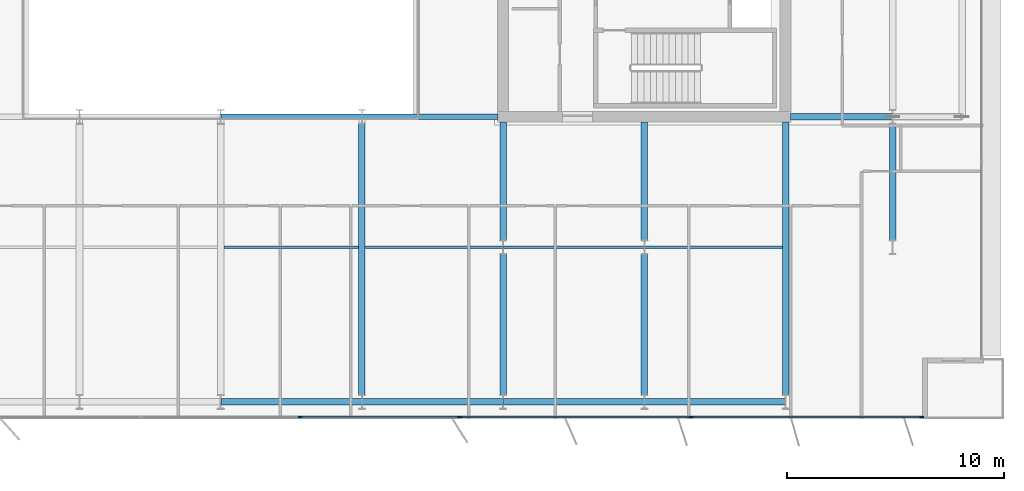
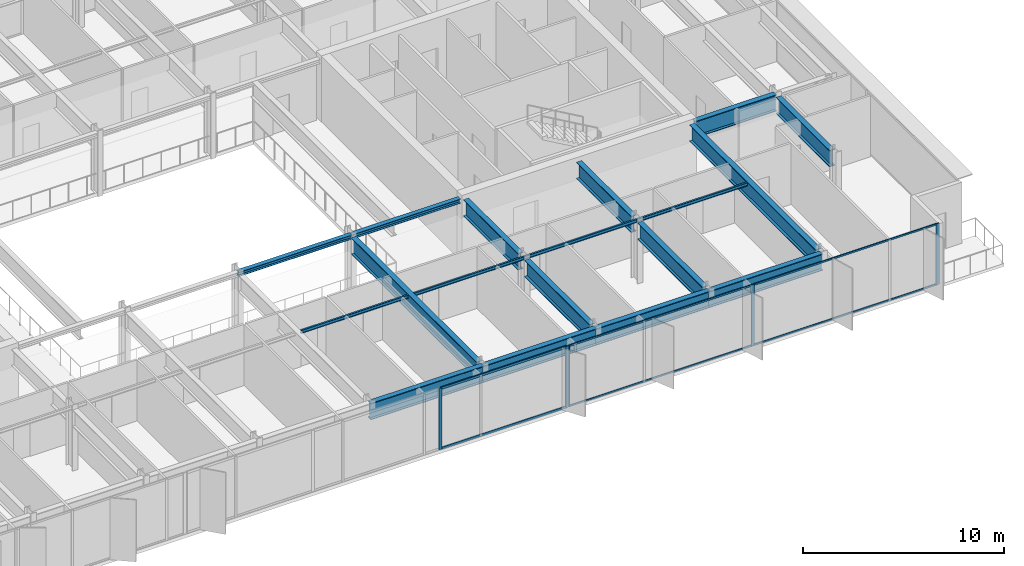
# One storey, part 6 of 20: 18 beams, 11 members, 2 elements without a shape of their own.
"""IFC4 building model written with IfcOpenShell, lengths in metres."""

from ifc_helpers import new_model, si_unit, direction, frame, origin, origin_2d, place, context, subcontext, project, spatial, rectangle, i_section, extrude, material, layer, layer_set, material_profile, profile_set, type_object, element, aggregate, save


model = new_model("IFC4")

# Units and contexts
model_context = context("Model", 3, precision=1e-05, world=origin(), true_north=direction((0.0, 1.0)))
body_context = subcontext(model_context, "Body", "Model", "MODEL_VIEW")
ifc_project = project(units=[si_unit("LENGTHUNIT", "METRE"), si_unit("AREAUNIT", "SQUARE_METRE"), si_unit("VOLUMEUNIT", "CUBIC_METRE"), si_unit("PLANEANGLEUNIT", "RADIAN"), si_unit("MASSUNIT", "GRAM", prefix="KILO")], contexts=[model_context])

# Site, building, storey
site_placement = place(None, origin())
site = spatial("IfcSite", under=ifc_project, at=site_placement, CompositionType="ELEMENT")
building_placement = place(site_placement, origin())
building = spatial("IfcBuilding", under=site, at=building_placement, Name="Putna Gate Headquarters", CompositionType="ELEMENT")
storey_placement = place(building_placement, frame((0.0, 0.0, 306.39990234375)))
storey = spatial("IfcBuildingStorey", under=building, at=storey_placement, Name="L77", CompositionType="ELEMENT", Elevation=306.39990234375)

# Beams
ifc_material_1 = material(Name="Steel S355J2", Category="steel")
ifc_material_profile_1 = material_profile(ifc_material_1, i_section(OverallWidth=0.260009765625, OverallDepth=0.260009765625, WebThickness=0.010009765625, FlangeThickness=0.017578125, at=origin_2d()), Name="Steel S355J2")
ifc_profile_set_1 = profile_set([ifc_material_profile_1], Name="Steel S355J2")
beam_type_1 = type_object("IfcBeamType", Name="BM-ATRIUM-HEB260", PredefinedType="BEAM", material=ifc_profile_set_1)
beam_1_placement = place(storey_placement, frame((39.006103515625, 19.0, 3.590087890625), z_axis=(1.0, 0.0, 0.0), x_axis=(0.0, 1.0, 0.0)))
element("IfcBeam", 1, at=beam_1_placement, inside=storey, type_object=beam_type_1, Name="L77 Atrium Edge Beam AS3", PredefinedType="BEAM", context=body_context, shape_type="SweptSolid", body=[
    extrude(i_section(OverallWidth=0.260009765625, OverallDepth=0.260009765625, WebThickness=0.010009765625, FlangeThickness=0.017578125, at=origin_2d()), origin(), (0.0, 0.0, 1.0), 6.48779296875),
])
beam_2_placement = place(storey_placement, frame((45.506103515625, 19.0, 3.590087890625), z_axis=(1.0, 0.0, 0.0), x_axis=(0.0, 1.0, 0.0)))
element("IfcBeam", 2, at=beam_2_placement, inside=storey, type_object=beam_type_1, Name="L77 Atrium Edge Beam AS4", PredefinedType="BEAM", context=body_context, shape_type="SweptSolid", body=[
    extrude(i_section(OverallWidth=0.260009765625, OverallDepth=0.260009765625, WebThickness=0.010009765625, FlangeThickness=0.017578125, at=origin_2d()), origin(), (0.0, 0.0, 1.0), 6.2587890625),
])
ifc_material_profile_2 = material_profile(ifc_material_1, i_section(OverallWidth=0.10009765625, OverallDepth=0.199951171875, WebThickness=0.005615234375, FlangeThickness=0.008544921875, at=origin_2d()), Name="Steel S355J2")
ifc_profile_set_2 = profile_set([ifc_material_profile_2], Name="Steel S355J2")
beam_type_2 = type_object("IfcBeamType", Name="BM-SEC-PLT-IPE200", PredefinedType="JOIST", material=ifc_profile_set_2)
beam_3_placement = place(storey_placement, frame((39.155029296875, 13.0, 3.6201171875), z_axis=(1.0, 0.0, 0.0), x_axis=(0.0, 1.0, 0.0)))
element("IfcBeam", 3, at=beam_3_placement, inside=storey, type_object=beam_type_2, Name="L77 South Secondary Beam 5", PredefinedType="JOIST", context=body_context, shape_type="SweptSolid", body=[
    extrude(i_section(OverallWidth=0.10009765625, OverallDepth=0.199951171875, WebThickness=0.005615234375, FlangeThickness=0.008544921875, at=origin_2d()), origin(), (0.0, 0.0, 1.0), 6.18994140625),
])
beam_4_placement = place(storey_placement, frame((45.655029296875, 13.0, 3.6201171875), z_axis=(1.0, 0.0, 0.0), x_axis=(0.0, 1.0, 0.0)))
element("IfcBeam", 4, at=beam_4_placement, inside=storey, type_object=beam_type_2, Name="L77 South Secondary Beam 6", PredefinedType="JOIST", context=body_context, shape_type="SweptSolid", body=[
    extrude(i_section(OverallWidth=0.10009765625, OverallDepth=0.199951171875, WebThickness=0.005615234375, FlangeThickness=0.008544921875, at=origin_2d()), origin(), (0.0, 0.0, 1.0), 6.3388671875),
])
beam_5_placement = place(storey_placement, frame((52.006103515625, 13.0, 3.6201171875), z_axis=(1.0, 0.0, 0.0), x_axis=(0.0, 1.0, 0.0)))
element("IfcBeam", 5, at=beam_5_placement, inside=storey, type_object=beam_type_2, Name="L77 South Secondary Beam 7", PredefinedType="JOIST", context=body_context, shape_type="SweptSolid", body=[
    extrude(i_section(OverallWidth=0.10009765625, OverallDepth=0.199951171875, WebThickness=0.005615234375, FlangeThickness=0.008544921875, at=origin_2d()), origin(), (0.0, 0.0, 1.0), 6.48779296875),
])
beam_6_placement = place(storey_placement, frame((58.506103515625, 13.0, 3.6201171875), z_axis=(1.0, 0.0, 0.0), x_axis=(0.0, 1.0, 0.0)))
element("IfcBeam", 6, at=beam_6_placement, inside=storey, type_object=beam_type_2, Name="L77 South Secondary Beam 8", PredefinedType="JOIST", context=body_context, shape_type="SweptSolid", body=[
    extrude(i_section(OverallWidth=0.10009765625, OverallDepth=0.199951171875, WebThickness=0.005615234375, FlangeThickness=0.008544921875, at=origin_2d()), origin(), (0.0, 0.0, 1.0), 6.3388671875),
])
ifc_material_2 = material(Name="Steel S460M", Category="steel")
ifc_material_profile_3 = material_profile(ifc_material_2, i_section(OverallWidth=0.302001953125, OverallDepth=1.008056640625, WebThickness=0.02099609375, FlangeThickness=0.0400390625, at=origin_2d()), Name="Steel S460M")
ifc_profile_set_3 = profile_set([ifc_material_profile_3], Name="Steel S460M")
beam_type_3 = type_object("IfcBeamType", Name="BM-TG-HEM1000", PredefinedType="USERDEFINED", material=ifc_profile_set_3)
beam_7_placement = place(storey_placement, frame((65.235107421875, 19.0, 3.216064453125), z_axis=(1.0, 0.0, 0.0), x_axis=(0.0, 1.0, 0.0)))
element("IfcBeam", 7, at=beam_7_placement, inside=storey, type_object=beam_type_3, Name="L77 East Wing Girder Y19", ObjectType="GIRDER", PredefinedType="USERDEFINED", context=body_context, shape_type="SweptSolid", body=[
    extrude(i_section(OverallWidth=0.302001953125, OverallDepth=1.008056640625, WebThickness=0.02099609375, FlangeThickness=0.0400390625, at=origin_2d()), origin(), (0.0, 0.0, 1.0), 4.678955078125),
])
beam_8_placement = place(storey_placement, frame((45.5, 6.201904296875, 3.216064453125), z_axis=(0.0, 1.0, 0.0), x_axis=(-1.0, 0.0, 0.0)))
element("IfcBeam", 8, at=beam_8_placement, inside=storey, type_object=beam_type_3, Name="L77 South Primary Girder X45", ObjectType="GIRDER", PredefinedType="USERDEFINED", context=body_context, shape_type="SweptSolid", body=[
    extrude(i_section(OverallWidth=0.302001953125, OverallDepth=1.008056640625, WebThickness=0.02099609375, FlangeThickness=0.0400390625, at=origin_2d()), origin(), (0.0, 0.0, 1.0), 12.47607421875),
])
beam_9_placement = place(storey_placement, frame((52.0, 6.201904296875, 3.216064453125), z_axis=(0.0, 1.0, 0.0), x_axis=(-1.0, 0.0, 0.0)))
element("IfcBeam", 9, at=beam_9_placement, inside=storey, type_object=beam_type_3, Name="L77 South Primary Girder X52-1", ObjectType="GIRDER", PredefinedType="USERDEFINED", context=body_context, shape_type="SweptSolid", body=[
    extrude(i_section(OverallWidth=0.302001953125, OverallDepth=1.008056640625, WebThickness=0.02099609375, FlangeThickness=0.0400390625, at=origin_2d()), origin(), (0.0, 0.0, 1.0), 6.47607421875),
])
beam_10_placement = place(storey_placement, frame((52.0, 13.322021484375, 3.216064453125), z_axis=(0.0, 1.0, 0.0), x_axis=(-1.0, 0.0, 0.0)))
element("IfcBeam", 10, at=beam_10_placement, inside=storey, type_object=beam_type_3, Name="L77 South Primary Girder X52-2", ObjectType="GIRDER", PredefinedType="USERDEFINED", context=body_context, shape_type="SweptSolid", body=[
    extrude(i_section(OverallWidth=0.302001953125, OverallDepth=1.008056640625, WebThickness=0.02099609375, FlangeThickness=0.0400390625, at=origin_2d()), origin(), (0.0, 0.0, 1.0), 5.44287109375),
])
beam_11_placement = place(storey_placement, frame((58.5, 6.201904296875, 3.216064453125), z_axis=(0.0, 1.0, 0.0), x_axis=(-1.0, 0.0, 0.0)))
element("IfcBeam", 11, at=beam_11_placement, inside=storey, type_object=beam_type_3, Name="L77 South Primary Girder X58-1", ObjectType="GIRDER", PredefinedType="USERDEFINED", context=body_context, shape_type="SweptSolid", body=[
    extrude(i_section(OverallWidth=0.302001953125, OverallDepth=1.008056640625, WebThickness=0.02099609375, FlangeThickness=0.0400390625, at=origin_2d()), origin(), (0.0, 0.0, 1.0), 6.47607421875),
])
beam_12_placement = place(storey_placement, frame((58.5, 13.322021484375, 3.216064453125), z_axis=(0.0, 1.0, 0.0), x_axis=(-1.0, 0.0, 0.0)))
element("IfcBeam", 12, at=beam_12_placement, inside=storey, type_object=beam_type_3, Name="L77 South Primary Girder X58-2", ObjectType="GIRDER", PredefinedType="USERDEFINED", context=body_context, shape_type="SweptSolid", body=[
    extrude(i_section(OverallWidth=0.302001953125, OverallDepth=1.008056640625, WebThickness=0.02099609375, FlangeThickness=0.0400390625, at=origin_2d()), origin(), (0.0, 0.0, 1.0), 5.44287109375),
])
beam_13_placement = place(storey_placement, frame((65.0, 6.201904296875, 3.216064453125), z_axis=(0.0, 1.0, 0.0), x_axis=(-1.0, 0.0, 0.0)))
element("IfcBeam", 13, at=beam_13_placement, inside=storey, type_object=beam_type_3, Name="L77 South Primary Girder X65", ObjectType="GIRDER", PredefinedType="USERDEFINED", context=body_context, shape_type="SweptSolid", body=[
    extrude(i_section(OverallWidth=0.302001953125, OverallDepth=1.008056640625, WebThickness=0.02099609375, FlangeThickness=0.0400390625, at=origin_2d()), origin(), (0.0, 0.0, 1.0), 12.56298828125),
])
ifc_material_profile_4 = material_profile(ifc_material_2, i_section(OverallWidth=0.302001953125, OverallDepth=1.008056640625, WebThickness=0.02099609375, FlangeThickness=0.0400390625, at=origin_2d()), Name="Steel S460M")
ifc_profile_set_4 = profile_set([ifc_material_profile_4], Name="Steel S460M")
beam_type_4 = type_object("IfcBeamType", Name="BM-TG-HEM1000-EXT", PredefinedType="USERDEFINED", material=ifc_profile_set_4)
for number, where, z_axis, x_axis, name in (
    (14, (39.006103515625, 5.8798828125, 3.216064453125), (1.0, 0.0, 0.0), (0.0, 1.0, 0.0), "L77 S Perimeter Spandrel 5"),
    (15, (45.506103515625, 5.8798828125, 3.216064453125), (1.0, 0.0, 0.0), (0.0, 1.0, 0.0), "L77 S Perimeter Spandrel 6"),
    (16, (52.006103515625, 5.8798828125, 3.216064453125), (1.0, 0.0, 0.0), (0.0, 1.0, 0.0), "L77 S Perimeter Spandrel 7"),
    (17, (58.506103515625, 5.8798828125, 3.216064453125), (1.0, 0.0, 0.0), (0.0, 1.0, 0.0), "L77 S Perimeter Spandrel 8"),
):
    element("IfcBeam", number, at=place(storey_placement, frame(where, z_axis=z_axis, x_axis=x_axis)), inside=storey, type_object=beam_type_4, Name=name, ObjectType="GIRDER", PredefinedType="USERDEFINED", context=body_context, shape_type="SweptSolid", body=[
        extrude(i_section(OverallWidth=0.302001953125, OverallDepth=1.008056640625, WebThickness=0.02099609375, FlangeThickness=0.0400390625, at=origin_2d()), origin(), (0.0, 0.0, 1.0), 6.48779296875),
    ])
beam_14_placement = place(storey_placement, frame((69.919921875, 13.322021484375, 3.216064453125), z_axis=(0.0, 1.0, 0.0), x_axis=(-1.0, 0.0, 0.0)))
element("IfcBeam", 18, at=beam_14_placement, inside=storey, type_object=beam_type_4, Name="L77 E End Spandrel 1", ObjectType="GIRDER", PredefinedType="USERDEFINED", context=body_context, shape_type="SweptSolid", body=[
    extrude(i_section(OverallWidth=0.302001953125, OverallDepth=1.008056640625, WebThickness=0.02099609375, FlangeThickness=0.0400390625, at=origin_2d()), origin(), (0.0, 0.0, 1.0), 5.35595703125),
])

# Curtain wall, members
ifc_material_3 = material(Name="Anodised bronze aluminium curtain wall", Category="aluminium")
ifc_layer_1 = layer(ifc_material_3, 0.179931640625)
ifc_layer_set_1 = layer_set([ifc_layer_1], Name="Anodised bronze aluminium curtain wall")
curtain_wall_type_1 = type_object("IfcCurtainWallType", Name="CW-SYS-Z5", PredefinedType="USERDEFINED", material=ifc_layer_set_1)
curtain_wall_1_placement = place(storey_placement, origin())
curtain_wall_1 = element("IfcCurtainWall", 19, at=curtain_wall_1_placement, inside=storey, type_object=curtain_wall_type_1, Name="L77 South East Curtain Wall", ObjectType="STICK CURTAIN WALL", PredefinedType="USERDEFINED")
ifc_material_4 = material(Name="Anodised bronze aluminium EN AW-6060", Category="aluminium")
ifc_material_profile_5 = material_profile(ifc_material_4, rectangle(XDim=0.070068359375, YDim=0.179931640625, at=origin_2d()), Name="Anodised bronze aluminium EN AW-6060")
ifc_profile_set_5 = profile_set([ifc_material_profile_5], Name="Anodised bronze aluminium EN AW-6060")
member_type_1 = type_object("IfcMemberType", Name="MULL-CWM-5", PredefinedType="MULLION", material=ifc_profile_set_5)
member_1_placement = place(storey_placement, frame((50.034912109375, 5.179931640625, 0.0), z_axis=(0.0, 0.0, 1.0), x_axis=(0.0, 1.0, 0.0)))
member_1 = element("IfcMember", 20, at=member_1_placement, type_object=member_type_1, Name="CWS-5 mullion 1", PredefinedType="MULLION", context=body_context, shape_type="SweptSolid", body=[
    extrude(rectangle(XDim=0.070068359375, YDim=0.179931640625, at=origin_2d()), origin(), (0.0, 0.0, 1.0), 3.72021484375),
])
member_2_placement = place(storey_placement, frame((60.64990234375, 5.179931640625, 0.0), z_axis=(0.0, 0.0, 1.0), x_axis=(0.0, 1.0, 0.0)))
member_2 = element("IfcMember", 21, at=member_2_placement, type_object=member_type_1, Name="CWS-5 mullion 2", PredefinedType="MULLION", context=body_context, shape_type="SweptSolid", body=[
    extrude(rectangle(XDim=0.070068359375, YDim=0.179931640625, at=origin_2d()), origin(), (0.0, 0.0, 1.0), 3.72021484375),
])
member_3_placement = place(storey_placement, frame((71.264892578125, 5.179931640625, 0.0), z_axis=(0.0, 0.0, 1.0), x_axis=(0.0, 1.0, 0.0)))
member_3 = element("IfcMember", 22, at=member_3_placement, type_object=member_type_1, Name="CWS-5 mullion 3", PredefinedType="MULLION", context=body_context, shape_type="SweptSolid", body=[
    extrude(rectangle(XDim=0.070068359375, YDim=0.179931640625, at=origin_2d()), origin(), (0.0, 0.0, 1.0), 3.72021484375),
])

ifc_layer_2 = layer(ifc_material_3, 0.179931640625)
ifc_layer_set_2 = layer_set([ifc_layer_2], Name="Anodised bronze aluminium curtain wall")
curtain_wall_type_2 = type_object("IfcCurtainWallType", Name="CW-SYS-ATR", PredefinedType="USERDEFINED", material=ifc_layer_set_2)
curtain_wall_2_placement = place(storey_placement, origin())
curtain_wall_2 = element("IfcCurtainWall", 23, at=curtain_wall_2_placement, inside=storey, type_object=curtain_wall_type_2, Name="L77 South Atrium Clear Glazing", ObjectType="ATRIUM GLAZING", PredefinedType="USERDEFINED")
ifc_material_profile_6 = material_profile(ifc_material_4, rectangle(XDim=0.070068359375, YDim=0.179931640625, at=origin_2d()), Name="Anodised bronze aluminium EN AW-6060")
ifc_profile_set_6 = profile_set([ifc_material_profile_6], Name="Anodised bronze aluminium EN AW-6060")
member_type_2 = type_object("IfcMemberType", Name="MULL-CWM-AT", PredefinedType="MULLION", material=ifc_profile_set_6)
member_4_placement = place(storey_placement, frame((42.666748046875, 5.179931640625, 0.0), z_axis=(0.0, 0.0, 1.0), x_axis=(0.0, 1.0, 0.0)))
member_4 = element("IfcMember", 24, at=member_4_placement, type_object=member_type_2, Name="CWS-AT mullion 3", PredefinedType="MULLION", context=body_context, shape_type="SweptSolid", body=[
    extrude(rectangle(XDim=0.070068359375, YDim=0.179931640625, at=origin_2d()), origin(), (0.0, 0.0, 1.0), 3.72021484375),
])
member_5_placement = place(storey_placement, frame((49.965087890625, 5.179931640625, 0.0), z_axis=(0.0, 0.0, 1.0), x_axis=(0.0, 1.0, 0.0)))
member_5 = element("IfcMember", 25, at=member_5_placement, type_object=member_type_2, Name="CWS-AT mullion 4", PredefinedType="MULLION", context=body_context, shape_type="SweptSolid", body=[
    extrude(rectangle(XDim=0.070068359375, YDim=0.179931640625, at=origin_2d()), origin(), (0.0, 0.0, 1.0), 3.72021484375),
])

# Member
ifc_material_profile_7 = material_profile(ifc_material_4, rectangle(XDim=0.06005859375, YDim=0.10009765625, at=origin_2d()), Name="Anodised bronze aluminium EN AW-6060")
ifc_profile_set_7 = profile_set([ifc_material_profile_7], Name="Anodised bronze aluminium EN AW-6060")
member_type_3 = type_object("IfcMemberType", Name="TRAN-CWT-5", PredefinedType="USERDEFINED", material=ifc_profile_set_7)
member_6_placement = place(storey_placement, frame((50.070068359375, 5.179931640625, 0.030029296875), z_axis=(1.0, 0.0, 0.0), x_axis=(0.0, 1.0, 0.0)))
member_6 = element("IfcMember", 26, at=member_6_placement, type_object=member_type_3, Name="CWS-5 transom 1.1", ObjectType="TRANSOM", PredefinedType="USERDEFINED", context=body_context, shape_type="SweptSolid", body=[
    extrude(rectangle(XDim=0.06005859375, YDim=0.10009765625, at=origin_2d()), origin(), (0.0, 0.0, 1.0), 10.544921875),
])

member_7_placement = place(storey_placement, frame((50.070068359375, 5.179931640625, 3.690185546875), z_axis=(1.0, 0.0, 0.0), x_axis=(0.0, 1.0, 0.0)))
member_7 = element("IfcMember", 27, at=member_7_placement, type_object=member_type_3, Name="CWS-5 transom 1.2", ObjectType="TRANSOM", PredefinedType="USERDEFINED", context=body_context, shape_type="SweptSolid", body=[
    extrude(rectangle(XDim=0.06005859375, YDim=0.10009765625, at=origin_2d()), origin(), (0.0, 0.0, 1.0), 10.544921875),
])

member_8_placement = place(storey_placement, frame((60.68505859375, 5.179931640625, 0.030029296875), z_axis=(1.0, 0.0, 0.0), x_axis=(0.0, 1.0, 0.0)))
member_8 = element("IfcMember", 28, at=member_8_placement, type_object=member_type_3, Name="CWS-5 transom 2.1", ObjectType="TRANSOM", PredefinedType="USERDEFINED", context=body_context, shape_type="SweptSolid", body=[
    extrude(rectangle(XDim=0.06005859375, YDim=0.10009765625, at=origin_2d()), origin(), (0.0, 0.0, 1.0), 10.544921875),
])

member_9_placement = place(storey_placement, frame((60.68505859375, 5.179931640625, 3.690185546875), z_axis=(1.0, 0.0, 0.0), x_axis=(0.0, 1.0, 0.0)))
member_9 = element("IfcMember", 29, at=member_9_placement, type_object=member_type_3, Name="CWS-5 transom 2.2", ObjectType="TRANSOM", PredefinedType="USERDEFINED", context=body_context, shape_type="SweptSolid", body=[
    extrude(rectangle(XDim=0.06005859375, YDim=0.10009765625, at=origin_2d()), origin(), (0.0, 0.0, 1.0), 10.544921875),
])

aggregate(curtain_wall_1, [member_1, member_2, member_3, member_6, member_7, member_8, member_9])

ifc_material_profile_8 = material_profile(ifc_material_4, rectangle(XDim=0.070068359375, YDim=0.139892578125, at=origin_2d()), Name="Anodised bronze aluminium EN AW-6060")
ifc_profile_set_8 = profile_set([ifc_material_profile_8], Name="Anodised bronze aluminium EN AW-6060")
member_type_4 = type_object("IfcMemberType", Name="TRAN-CWT-AT", PredefinedType="USERDEFINED", material=ifc_profile_set_8)
member_10_placement = place(storey_placement, frame((42.70166015625, 5.179931640625, 0.03515625), z_axis=(1.0, 0.0, 0.0), x_axis=(0.0, 1.0, 0.0)))
member_10 = element("IfcMember", 30, at=member_10_placement, type_object=member_type_4, Name="CWS-AT transom 3.1", ObjectType="TRANSOM", PredefinedType="USERDEFINED", context=body_context, shape_type="SweptSolid", body=[
    extrude(rectangle(XDim=0.070068359375, YDim=0.139892578125, at=origin_2d()), origin(), (0.0, 0.0, 1.0), 7.228271484375),
])

member_11_placement = place(storey_placement, frame((42.70166015625, 5.179931640625, 3.68505859375), z_axis=(1.0, 0.0, 0.0), x_axis=(0.0, 1.0, 0.0)))
member_11 = element("IfcMember", 31, at=member_11_placement, type_object=member_type_4, Name="CWS-AT transom 3.2", ObjectType="TRANSOM", PredefinedType="USERDEFINED", context=body_context, shape_type="SweptSolid", body=[
    extrude(rectangle(XDim=0.070068359375, YDim=0.139892578125, at=origin_2d()), origin(), (0.0, 0.0, 1.0), 7.228271484375),
])

aggregate(curtain_wall_2, [member_4, member_5, member_10, member_11])

save(model, "model.ifc")
